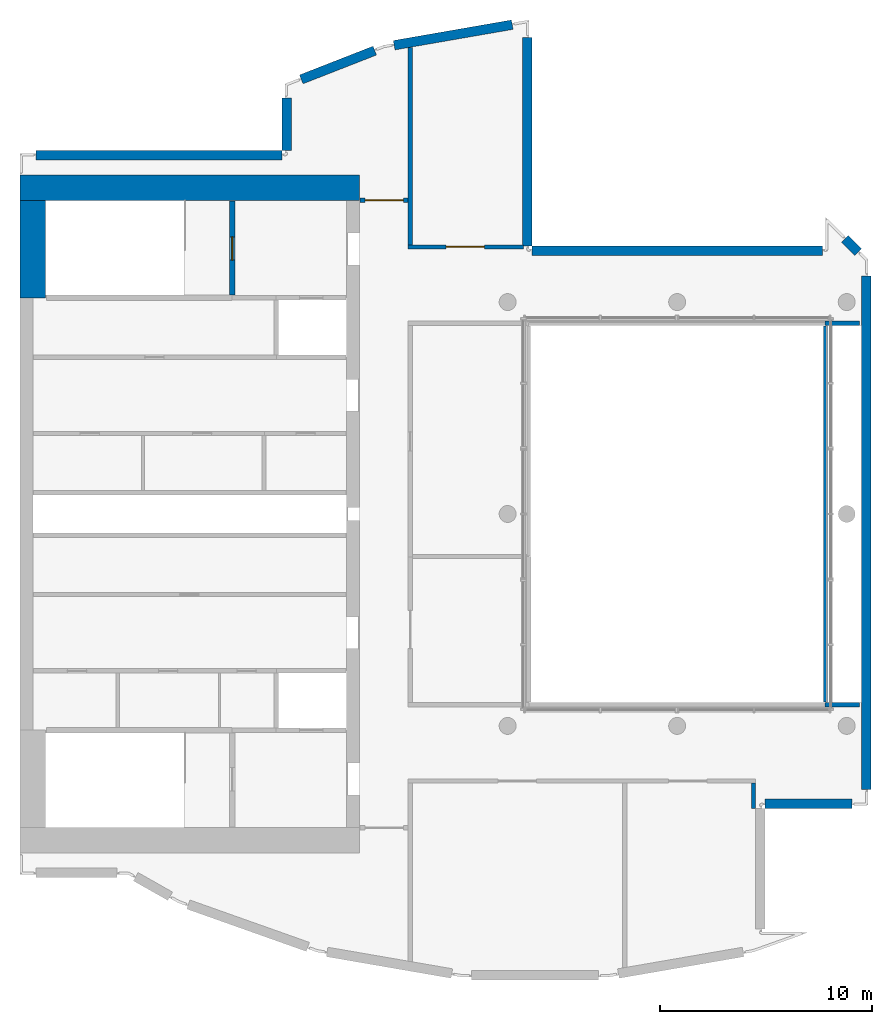
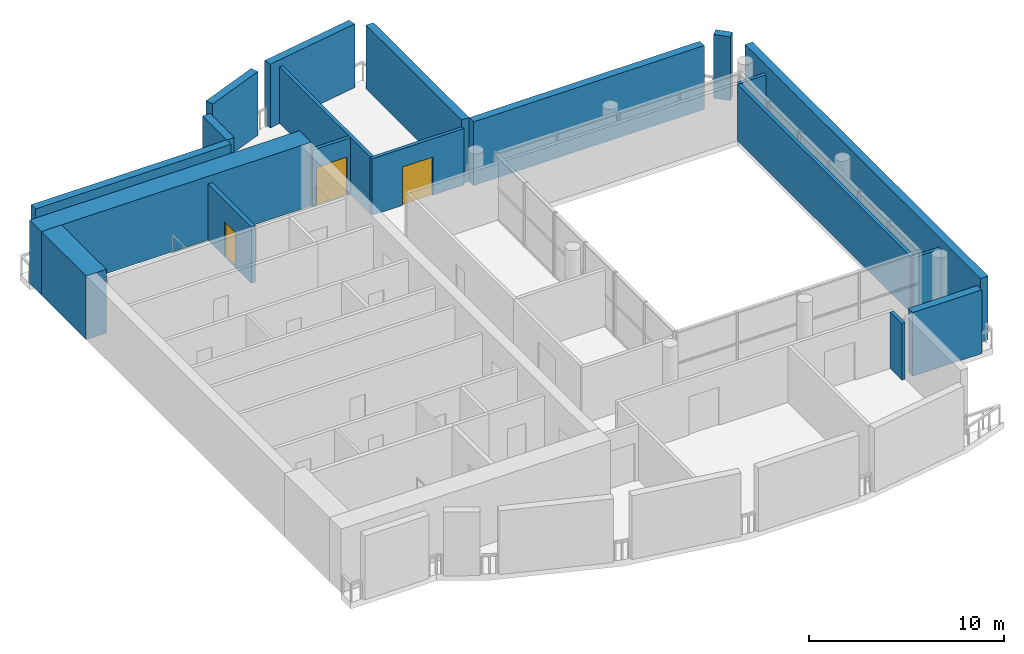
# One storey, part 5 of 6: 19 walls, 3 doors, 3 openings.
"""IFC4 building model written with IfcOpenShell, lengths in metres."""

import ifcopenshell
import ifcopenshell.guid

model = None  # the IFC model being written
_history = None  # IfcOwnerHistory: only IFC2X3 demands one
_inside = {}  # id of a spatial element -> (the spatial element, [elements in it])
_under = {}  # id of a project, library or spatial element -> (it, [spatial elements below it])
_declared = {}  # id of a project -> (the project, [libraries it declares])
_typed = {}  # id of a type object -> (the type object, [elements of that type])
_made_of = {}  # id of a material, layer set ... -> (it, [elements and type objects made of it])


def new_model(schema):
    """Start an empty IFC model of exactly this schema.

    Asked for "IFC4X3", IfcOpenShell would pick the latest addendum, in which some entities
    have other attributes; the version numbers below select the first issue.
    IFC2X3 requires an IfcOwnerHistory on every rooted entity: one is made here for all.
    """
    global model, _history
    if schema == "IFC4X3":
        model = ifcopenshell.file(schema_version=(4, 3, 0, 0))
    else:
        model = ifcopenshell.file(schema=schema)
    _inside.clear()
    _under.clear()
    _declared.clear()
    _typed.clear()
    _made_of.clear()
    _history = None
    if model.schema == "IFC2X3":
        org = make("IfcOrganization", Name="unknown")
        user = make(
            "IfcPersonAndOrganization",
            ThePerson=make("IfcPerson", FamilyName="unknown"),
            TheOrganization=org,
        )
        app = make(
            "IfcApplication",
            ApplicationDeveloper=org,
            Version="unknown",
            ApplicationFullName="unknown",
            ApplicationIdentifier="unknown",
        )
        _history = make(
            "IfcOwnerHistory",
            OwningUser=user,
            OwningApplication=app,
            ChangeAction="ADDED",
            CreationDate=0,
        )
    return model


def make(cls, **values):
    """One entity of the class cls with the attributes given. An attribute that is None is left unset."""
    return model.create_entity(
        cls, **{name: value for name, value in values.items() if value is not None}
    )


def rooted(cls, **values):
    """An entity with a GlobalId (a new one), such as an element, a storey or a relation."""
    return make(cls, GlobalId=ifcopenshell.guid.new(), OwnerHistory=_history, **values)


def si_unit(unit_type, name, prefix=None):
    """IfcSIUnit, for example si_unit("LENGTHUNIT", "METRE", prefix="MILLI")."""
    return make("IfcSIUnit", UnitType=unit_type, Prefix=prefix, Name=name)


def assignment(units):
    """IfcUnitAssignment: the units of a project."""
    return None if units is None else make("IfcUnitAssignment", Units=units)


def point(xyz):
    """IfcCartesianPoint."""
    return None if xyz is None else make("IfcCartesianPoint", Coordinates=xyz)


def direction(xyz):
    """IfcDirection."""
    return None if xyz is None else make("IfcDirection", DirectionRatios=xyz)


def frame(location, z_axis=None, x_axis=None):
    """IfcAxis2Placement3D, a coordinate frame: its origin and axes. An axis left out is left unset."""
    return make(
        "IfcAxis2Placement3D",
        Location=point(location),
        Axis=direction(z_axis),
        RefDirection=direction(x_axis),
    )


def frame_2d(location, x_axis=None):
    """IfcAxis2Placement2D, a coordinate frame in the plane: its origin and x axis."""
    return make(
        "IfcAxis2Placement2D", Location=point(location), RefDirection=direction(x_axis)
    )


def origin():
    """The frame at (0, 0, 0) with its axes left unset."""
    return frame((0.0, 0.0, 0.0))


def place(relative_to, where):
    """IfcLocalPlacement: puts the frame where relative to a parent placement (None: the world)."""
    return make(
        "IfcLocalPlacement", PlacementRelTo=relative_to, RelativePlacement=where
    )


def context(
    kind, dimensions, precision=None, world=None, true_north=None, identifier=None
):
    """IfcGeometricRepresentationContext, for example the 3D "Model" context."""
    return make(
        "IfcGeometricRepresentationContext",
        ContextIdentifier=identifier,
        ContextType=kind,
        CoordinateSpaceDimension=dimensions,
        Precision=precision,
        WorldCoordinateSystem=world,
        TrueNorth=true_north,
    )


def subcontext(parent, identifier, kind, view, scale=None):
    """IfcGeometricRepresentationSubContext, for example "Body" below "Model"."""
    return make(
        "IfcGeometricRepresentationSubContext",
        ContextIdentifier=identifier,
        ContextType=kind,
        ParentContext=parent,
        TargetScale=scale,
        TargetView=view,
    )


def project(units=None, contexts=None):
    """IfcProject with its units and contexts."""
    return rooted(
        "IfcProject",
        Name="project",
        RepresentationContexts=contexts,
        UnitsInContext=assignment(units),
    )


def spatial(cls, under=None, at=None, **own):
    """A site, building, storey or space (cls), placed at a placement, below another one or the project."""
    s = rooted(cls, ObjectPlacement=at, **own)
    if under is not None:
        _under.setdefault(under.id(), (under, []))[1].append(s)
    return s


def profile(cls, at=None, kind="AREA", **sizes):
    """A parametric profile (cls). Its sizes go by their IFC names, for example OverallWidth=200.0."""
    return make(cls, ProfileType=kind, Position=at, **sizes)


def rectangle(**sizes):
    """IfcRectangleProfileDef."""
    return profile("IfcRectangleProfileDef", **sizes)


def extrude(swept, where, along, depth):
    """IfcExtrudedAreaSolid: the profile swept, set in the frame where, extruded along a direction by depth."""
    return make(
        "IfcExtrudedAreaSolid",
        SweptArea=swept,
        Position=where,
        ExtrudedDirection=direction(along),
        Depth=depth,
    )


def shape(context_of_items, identifier, shape_type, items):
    """IfcShapeRepresentation: the items that make up one representation, for example the "Body"."""
    return make(
        "IfcShapeRepresentation",
        ContextOfItems=context_of_items,
        RepresentationIdentifier=identifier,
        RepresentationType=shape_type,
        Items=items,
    )


def material(Name=None, Category=None):
    """IfcMaterial."""
    return make("IfcMaterial", Name=Name, Category=Category)


def layer(
    of_material, thickness, ventilated=None, Name=None, Category=None, Priority=None
):
    """IfcMaterialLayer: one layer of a wall or slab, of a material (None: an air gap)."""
    return make(
        "IfcMaterialLayer",
        Material=of_material,
        LayerThickness=thickness,
        IsVentilated=ventilated,
        Name=Name,
        Category=Category,
        Priority=Priority,
    )


def layer_set(layers, Name=None):
    """IfcMaterialLayerSet."""
    return make("IfcMaterialLayerSet", MaterialLayers=layers, LayerSetName=Name)


def made_of(thing, what):
    """Note that an element or type object is made of a material, layer set ...; save() writes the relation."""
    if what is not None:
        _made_of.setdefault(what.id(), (what, []))[1].append(thing)
    return thing


def type_object(cls, material=None, **own):
    """A type object (cls), such as IfcWallType, which elements share."""
    return made_of(rooted(cls, **own), material)


def element(
    cls,
    number,
    at=None,
    inside=None,
    cuts=None,
    type_object=None,
    material=None,
    context=None,
    identifier="Body",
    shape_type=None,
    held_by="IfcProductDefinitionShape",
    body=None,
    shapes=None,
    **own,
):
    """One element of the class cls, such as IfcWall. Its Tag is "e" and its number.

    at: its placement. inside: the storey or other place that contains it. cuts: it is an
    opening in that element (IfcRelVoidsElement). A single representation is given by context,
    identifier, shape_type and body (its items); several are given by shapes. held_by: the class
    of the entity that holds the representations. save() writes the other relations.
    """
    e = rooted(cls, Tag="e%d" % number, ObjectPlacement=at, **own)
    if body is not None:
        shapes = [shape(context, identifier, shape_type, body)]
    if shapes is not None:
        e.Representation = make(held_by, Representations=shapes)
    if inside is not None:
        _inside.setdefault(inside.id(), (inside, []))[1].append(e)
    if cuts is not None:
        rooted(
            "IfcRelVoidsElement", RelatingBuildingElement=cuts, RelatedOpeningElement=e
        )
    if type_object is not None:
        _typed.setdefault(type_object.id(), (type_object, []))[1].append(e)
    return made_of(e, material)


def fill(opening, filler):
    """IfcRelFillsElement: the door or window that sits in an opening."""
    return rooted(
        "IfcRelFillsElement",
        RelatingOpeningElement=opening,
        RelatedBuildingElement=filler,
    )


def aggregate(whole, parts):
    """IfcRelAggregates: a whole, such as a stair, and the parts it consists of."""
    return rooted("IfcRelAggregates", RelatingObject=whole, RelatedObjects=parts)


def save(model, path):
    """Write the relations noted so far, then the file.

    IfcRelAggregates (storeys below a building ...), IfcRelContainedInSpatialStructure (elements
    in a storey), IfcRelDefinesByType, IfcRelAssociatesMaterial and IfcRelDeclares: one each for
    every whole, place, type object, material and project.
    """
    for whole, parts in _under.values():
        aggregate(whole, parts)
    for where, things in _inside.values():
        rooted(
            "IfcRelContainedInSpatialStructure",
            RelatedElements=things,
            RelatingStructure=where,
        )
    for kind, things in _typed.values():
        rooted("IfcRelDefinesByType", RelatedObjects=things, RelatingType=kind)
    for what, things in _made_of.values():
        rooted("IfcRelAssociatesMaterial", RelatedObjects=things, RelatingMaterial=what)
    for by, libraries in _declared.values():
        rooted("IfcRelDeclares", RelatingContext=by, RelatedDefinitions=libraries)
    model.write(path)


model = new_model("IFC4")

# Units and contexts
model_context = context("Model", 3, precision=1e-05, world=origin(), true_north=direction((0.0, 1.0)))
body_context = subcontext(model_context, "Body", "Model", "MODEL_VIEW")
ifc_project = project(units=[si_unit("LENGTHUNIT", "METRE"), si_unit("AREAUNIT", "SQUARE_METRE"), si_unit("VOLUMEUNIT", "CUBIC_METRE"), si_unit("PLANEANGLEUNIT", "RADIAN"), si_unit("MASSUNIT", "GRAM", prefix="KILO")], contexts=[model_context])

# Site, building, storey
site_placement = place(None, origin())
site = spatial("IfcSite", under=ifc_project, at=site_placement, CompositionType="ELEMENT")
building_placement = place(site_placement, origin())
building = spatial("IfcBuilding", under=site, at=building_placement, Name="Cypress Arch Tower", CompositionType="ELEMENT")
storey_placement = place(building_placement, frame((0.0, 0.0, 355.0)))
storey = spatial("IfcBuildingStorey", under=building, at=storey_placement, Name="L81", CompositionType="ELEMENT", Elevation=355.0)

# Walls
ifc_material_1 = material(Name="Brick (red buff blend)", Category="masonry")
ifc_layer_1 = layer(ifc_material_1, 0.449951171875)
ifc_layer_set_1 = layer_set([ifc_layer_1], Name="Brick belt wall BW450-B")
wall_type_1 = type_object("IfcWallType", Name="Brick belt wall BW450-B", PredefinedType="SOLIDWALL", material=ifc_layer_set_1)
wall_1_placement = place(storey_placement, frame((5.14990234375, -13.6650390625, 0.0), z_axis=(0.0, 0.0, 1.0), x_axis=(1.0, 0.0, 0.0)))
element("IfcWall", 1, at=wall_1_placement, inside=storey, type_object=wall_type_1, Name="Brick wall L81 K09.0", PredefinedType="SOLIDWALL", context=body_context, shape_type="SweptSolid", body=[
    extrude(rectangle(XDim=4.10009765625, YDim=0.449951171875, at=frame_2d((2.050048828125, 0.0))), origin(), (0.0, 0.0, 1.0), 4.0),
])
wall_2_placement = place(storey_placement, frame((9.925048828125, -12.989990234375, 0.0), z_axis=(0.0, 0.0, 1.0), x_axis=(0.0, 1.0, 0.0)))
element("IfcWall", 2, at=wall_2_placement, inside=storey, type_object=wall_type_1, Name="Brick wall L81 K10.0", PredefinedType="SOLIDWALL", context=body_context, shape_type="SweptSolid", body=[
    extrude(rectangle(XDim=24.229248046875, YDim=0.449951171875, at=frame_2d((12.11474609375, 0.0))), origin(), (0.0, 0.0, 1.0), 4.0),
])
wall_3_placement = place(storey_placement, frame((9.541015625, 12.35302734375, 0.0), z_axis=(0.0, 0.0, 1.0), x_axis=(-0.707106781187, 0.707106781187, 0.0)))
element("IfcWall", 3, at=wall_3_placement, inside=storey, type_object=wall_type_1, Name="Brick wall L81 K11.0", PredefinedType="SOLIDWALL", context=body_context, shape_type="SweptSolid", body=[
    extrude(rectangle(XDim=0.8935546875, YDim=0.449951171875, at=frame_2d((0.44677734375, 0.0))), origin(), (0.0, 0.0, 1.0), 4.0),
])
wall_4_placement = place(storey_placement, frame((7.85009765625, 12.425048828125, 0.0), z_axis=(0.0, 0.0, 1.0), x_axis=(-1.0, 0.0, 0.0)))
element("IfcWall", 4, at=wall_4_placement, inside=storey, type_object=wall_type_1, Name="Brick wall L81 K13.0", PredefinedType="SOLIDWALL", context=body_context, shape_type="SweptSolid", body=[
    extrude(rectangle(XDim=13.7001953125, YDim=0.449951171875, at=frame_2d((6.85009765625, 0.0))), origin(), (0.0, 0.0, 1.0), 4.0),
])
wall_5_placement = place(storey_placement, frame((-6.074951171875, 12.64990234375, 0.0), z_axis=(0.0, 0.0, 1.0), x_axis=(0.0, 1.0, 0.0)))
element("IfcWall", 5, at=wall_5_placement, inside=storey, type_object=wall_type_1, Name="Brick wall L81 K14.0", PredefinedType="SOLIDWALL", context=body_context, shape_type="SweptSolid", body=[
    extrude(rectangle(XDim=9.836669921875, YDim=0.449951171875, at=frame_2d((4.91845703125, 0.0))), origin(), (0.0, 0.0, 1.0), 4.0),
])
wall_6_placement = place(storey_placement, frame((-6.781982421875, 23.088134765625, 0.0), z_axis=(0.0, 0.0, 1.0), x_axis=(-0.985240251318, -0.171177239091, 0.0)))
element("IfcWall", 6, at=wall_6_placement, inside=storey, type_object=wall_type_1, Name="Brick wall L81 K15.0", PredefinedType="SOLIDWALL", context=body_context, shape_type="SweptSolid", body=[
    extrude(rectangle(XDim=5.656494140625, YDim=0.449951171875, at=frame_2d((2.828125, 0.0))), origin(), (0.0, 0.0, 1.0), 4.0),
])
wall_7_placement = place(storey_placement, frame((-13.269775390625, 21.865234375, 0.0), z_axis=(0.0, 0.0, 1.0), x_axis=(-0.931207968362, -0.364488298384, 0.0)))
element("IfcWall", 7, at=wall_7_placement, inside=storey, type_object=wall_type_1, Name="Brick wall L81 K16.0", PredefinedType="SOLIDWALL", context=body_context, shape_type="SweptSolid", body=[
    extrude(rectangle(XDim=3.7255859375, YDim=0.449951171875, at=frame_2d((1.86279296875, 0.0))), origin(), (0.0, 0.0, 1.0), 4.0),
])
wall_8_placement = place(storey_placement, frame((-17.425048828125, 19.63525390625, 0.0), z_axis=(0.0, 0.0, 1.0), x_axis=(0.0, -1.0, 0.0)))
element("IfcWall", 8, at=wall_8_placement, inside=storey, type_object=wall_type_1, Name="Brick wall L81 K17.0", PredefinedType="SOLIDWALL", context=body_context, shape_type="SweptSolid", body=[
    extrude(rectangle(XDim=2.4853515625, YDim=0.449951171875, at=frame_2d((1.24267578125, 0.0))), origin(), (0.0, 0.0, 1.0), 4.0),
])
wall_9_placement = place(storey_placement, frame((-17.64990234375, 16.925048828125, 0.0), z_axis=(0.0, 0.0, 1.0), x_axis=(-1.0, 0.0, 0.0)))
element("IfcWall", 9, at=wall_9_placement, inside=storey, type_object=wall_type_1, Name="Brick wall L81 K18.0", PredefinedType="SOLIDWALL", context=body_context, shape_type="SweptSolid", body=[
    extrude(rectangle(XDim=11.60009765625, YDim=0.449951171875, at=frame_2d((5.800048828125, 0.0))), origin(), (0.0, 0.0, 1.0), 4.0),
])
ifc_material_2 = material(Name="Concrete C50/60", Category="concrete")
ifc_layer_2 = layer(ifc_material_2, 1.199951171875)
ifc_layer_set_2 = layer_set([ifc_layer_2], Name="Core wall CW1200 C50/60")
wall_type_2 = type_object("IfcWallType", Name="Core wall CW1200 C50/60", PredefinedType="SHEAR", material=ifc_layer_set_2)
wall_10_placement = place(storey_placement, frame((-30.0, 15.39990234375, 0.0), z_axis=(0.0, 0.0, 1.0), x_axis=(1.0, 0.0, 0.0)))
element("IfcWall", 10, at=wall_10_placement, inside=storey, type_object=wall_type_2, Name="Core wall", PredefinedType="SHEAR", context=body_context, shape_type="SweptSolid", body=[
    extrude(rectangle(XDim=16.0, YDim=1.199951171875, at=frame_2d((8.0, 0.0))), origin(), (0.0, 0.0, 1.0), 4.0),
])
wall_11_placement = place(storey_placement, frame((-29.39990234375, 10.199951171875, 0.0), z_axis=(0.0, 0.0, 1.0), x_axis=(0.0, 1.0, 0.0)))
element("IfcWall", 11, at=wall_11_placement, inside=storey, type_object=wall_type_2, Name="Core wall", PredefinedType="SHEAR", context=body_context, shape_type="SweptSolid", body=[
    extrude(rectangle(XDim=4.60009765625, YDim=1.199951171875, at=frame_2d((2.300048828125, 0.0))), origin(), (0.0, 0.0, 1.0), 4.0),
])

# Wall, opening, door
ifc_material_3 = material(Name="Reinforced blockwork, plastered, rated", Category="masonry")
ifc_layer_3 = layer(ifc_material_3, 0.199951171875)
ifc_layer_set_3 = layer_set([ifc_layer_3], Name="Plant and riser wall PL200")
wall_type_3 = type_object("IfcWallType", Name="Plant and riser wall PL200", PredefinedType="PARTITIONING", material=ifc_layer_set_3)
wall_12_placement = place(storey_placement, frame((-13.969970703125, 14.800048828125, 0.0), z_axis=(0.0, 0.0, 1.0), x_axis=(1.0, 0.0, 0.0)))
wall_12 = element("IfcWall", 12, at=wall_12_placement, inside=storey, type_object=wall_type_3, Name="Plant and riser wall", PredefinedType="PARTITIONING", context=body_context, shape_type="SweptSolid", body=[
    extrude(rectangle(XDim=2.27001953125, YDim=0.199951171875, at=frame_2d((1.135009765625, 0.0))), origin(), (0.0, 0.0, 1.0), 3.548095703125),
])
opening_1_placement = place(wall_12_placement, frame((0.25, 0.0, 0.0)))
opening_1 = element("IfcOpeningElement", 13, at=opening_1_placement, cuts=wall_12, Name="Opening D09", PredefinedType="OPENING", context=body_context, shape_type="SweptSolid", body=[
    extrude(rectangle(XDim=1.800048828125, YDim=2.39990234375, at=frame_2d((0.89990234375, 1.199951171875))), frame((0.0, 0.10986328125, 0.0), z_axis=(0.0, -1.0, 0.0), x_axis=(1.0, 0.0, 0.0)), (0.0, 0.0, 1.0), 0.219970703125),
])
ifc_material_4 = material(Name="Steel door, fire resisting", Category="steel")
door_type_1 = type_object("IfcDoorType", Name="Plant room door D09 1800x2400", OperationType="DOUBLE_DOOR_SINGLE_SWING", PredefinedType="DOOR", material=ifc_material_4)
door_1_placement = place(opening_1_placement, origin())
door_1 = element("IfcDoor", 14, at=door_1_placement, inside=storey, type_object=door_type_1, Name="Plant room door", OperationType="DOUBLE_DOOR_SINGLE_SWING", OverallHeight=2.39990234375, OverallWidth=1.800048828125, PredefinedType="DOOR", context=body_context, shape_type="SweptSolid", body=[
    extrude(rectangle(XDim=1.800048828125, YDim=2.39990234375, at=frame_2d((0.89990234375, 1.199951171875))), frame((0.0, 0.02490234375, 0.0), z_axis=(0.0, -1.0, 0.0), x_axis=(1.0, 0.0, 0.0)), (0.0, 0.0, 1.0), 0.050048828125),
])
fill(opening_1, door_1)

# Wall
wall_13_placement = place(storey_placement, frame((-11.60009765625, 12.700927734375, 0.0), z_axis=(0.0, 0.0, 1.0), x_axis=(0.0, 1.0, 0.0)))
element("IfcWall", 15, at=wall_13_placement, inside=storey, type_object=wall_type_3, Name="Plant and riser wall", PredefinedType="PARTITIONING", context=body_context, shape_type="SweptSolid", body=[
    extrude(rectangle(XDim=9.32177734375, YDim=0.199951171875, at=frame_2d((4.660888671875, 0.0))), origin(), (0.0, 0.0, 1.0), 3.548095703125),
])

# Wall, opening, door
wall_14_placement = place(storey_placement, frame((-11.698974609375, 12.60009765625, 0.0), z_axis=(0.0, 0.0, 1.0), x_axis=(1.0, 0.0, 0.0)))
wall_14 = element("IfcWall", 16, at=wall_14_placement, inside=storey, type_object=wall_type_3, Name="Plant and riser wall", PredefinedType="PARTITIONING", context=body_context, shape_type="SweptSolid", body=[
    extrude(rectangle(XDim=5.453857421875, YDim=0.199951171875, at=frame_2d((2.72705078125, 0.0))), origin(), (0.0, 0.0, 1.0), 3.548095703125),
])
opening_2_placement = place(wall_14_placement, frame((1.800048828125, 0.0, 0.0)))
opening_2 = element("IfcOpeningElement", 17, at=opening_2_placement, cuts=wall_14, Name="Opening D09", PredefinedType="OPENING", context=body_context, shape_type="SweptSolid", body=[
    extrude(rectangle(XDim=1.800048828125, YDim=2.39990234375, at=frame_2d((0.89990234375, 1.199951171875))), frame((0.0, 0.10986328125, 0.0), z_axis=(0.0, -1.0, 0.0), x_axis=(1.0, 0.0, 0.0)), (0.0, 0.0, 1.0), 0.219970703125),
])
door_2_placement = place(opening_2_placement, origin())
door_2 = element("IfcDoor", 18, at=door_2_placement, inside=storey, type_object=door_type_1, Name="Plant room door", OperationType="DOUBLE_DOOR_SINGLE_SWING", OverallHeight=2.39990234375, OverallWidth=1.800048828125, PredefinedType="DOOR", context=body_context, shape_type="SweptSolid", body=[
    extrude(rectangle(XDim=1.800048828125, YDim=2.39990234375, at=frame_2d((0.89990234375, 1.199951171875))), frame((0.0, 0.02490234375, 0.0), z_axis=(0.0, -1.0, 0.0), x_axis=(1.0, 0.0, 0.0)), (0.0, 0.0, 1.0), 0.050048828125),
])
fill(opening_2, door_2)

# Walls
wall_15_placement = place(storey_placement, frame((4.60009765625, -13.889892578125, 0.0), z_axis=(0.0, 0.0, 1.0), x_axis=(0.0, 1.0, 0.0)))
element("IfcWall", 19, at=wall_15_placement, inside=storey, type_object=wall_type_3, Name="Plant and riser wall", PredefinedType="PARTITIONING", context=body_context, shape_type="SweptSolid", body=[
    extrude(rectangle(XDim=1.18896484375, YDim=0.199951171875, at=frame_2d((0.594482421875, 0.0))), origin(), (0.0, 0.0, 1.0), 3.548095703125),
])
for number, where, z_axis, x_axis, name in (
    (20, (7.97998046875, -9.0, 0.0), (0.0, 0.0, 1.0), (1.0, 0.0, 0.0), "Plant and riser wall"),
    (21, (7.97998046875, 9.0, 0.0), (0.0, 0.0, 1.0), (1.0, 0.0, 0.0), "Plant and riser wall"),
):
    element("IfcWall", number, at=place(storey_placement, frame(where, z_axis=z_axis, x_axis=x_axis)), inside=storey, type_object=wall_type_3, Name=name, PredefinedType="PARTITIONING", context=body_context, shape_type="SweptSolid", body=[
        extrude(rectangle(XDim=1.619873046875, YDim=0.199951171875, at=frame_2d((0.81005859375, 0.0))), origin(), (0.0, 0.0, 1.0), 3.548095703125),
    ])
wall_16_placement = place(storey_placement, frame((8.0, -8.8798828125, 0.0), z_axis=(0.0, 0.0, 1.0), x_axis=(0.0, 1.0, 0.0)))
element("IfcWall", 22, at=wall_16_placement, inside=storey, type_object=wall_type_3, Name="Plant and riser wall", PredefinedType="PARTITIONING", context=body_context, shape_type="SweptSolid", body=[
    extrude(rectangle(XDim=17.759765625, YDim=0.199951171875, at=frame_2d((8.8798828125, 0.0))), origin(), (0.0, 0.0, 1.0), 3.548095703125),
])

# Wall, opening, door
ifc_material_5 = material(Name="Concrete C50/60", Category="concrete")
ifc_layer_4 = layer(ifc_material_5, 0.25)
ifc_layer_set_4 = layer_set([ifc_layer_4], Name="Stair enclosure wall SW250")
wall_type_4 = type_object("IfcWallType", Name="Stair enclosure wall SW250", PredefinedType="SHEAR", material=ifc_layer_set_4)
wall_17_placement = place(storey_placement, frame((-20.0, 10.324951171875, 0.0), z_axis=(0.0, 0.0, 1.0), x_axis=(0.0, 1.0, 0.0)))
wall_17 = element("IfcWall", 23, at=wall_17_placement, inside=storey, type_object=wall_type_4, Name="Stair enclosure wall", PredefinedType="SHEAR", context=body_context, shape_type="SweptSolid", body=[
    extrude(rectangle(XDim=4.445068359375, YDim=0.25, at=frame_2d((2.22265625, 0.0))), origin(), (0.0, 0.0, 1.0), 3.548095703125),
])
opening_3_placement = place(wall_17_placement, frame((1.64990234375, 0.0, 0.0)))
opening_3 = element("IfcOpeningElement", 24, at=opening_3_placement, cuts=wall_17, Name="Opening D06", PredefinedType="OPENING", context=body_context, shape_type="SweptSolid", body=[
    extrude(rectangle(XDim=1.10009765625, YDim=2.199951171875, at=frame_2d((0.550048828125, 1.10009765625))), frame((0.0, 0.135009765625, 0.0), z_axis=(0.0, -1.0, 0.0), x_axis=(1.0, 0.0, 0.0)), (0.0, 0.0, 1.0), 0.27001953125),
])
ifc_material_6 = material(Name="Steel door, fire resisting, panic bar", Category="steel")
door_type_2 = type_object("IfcDoorType", Name="Stair door D06 1100x2200", OperationType="SINGLE_SWING_LEFT", PredefinedType="DOOR", material=ifc_material_6)
door_3_placement = place(opening_3_placement, origin())
door_3 = element("IfcDoor", 25, at=door_3_placement, inside=storey, type_object=door_type_2, Name="Stair door", OperationType="SINGLE_SWING_LEFT", OverallHeight=2.199951171875, OverallWidth=1.10009765625, PredefinedType="DOOR", context=body_context, shape_type="SweptSolid", body=[
    extrude(rectangle(XDim=1.10009765625, YDim=2.199951171875, at=frame_2d((0.550048828125, 1.10009765625))), frame((0.0, 0.02490234375, 0.0), z_axis=(0.0, -1.0, 0.0), x_axis=(1.0, 0.0, 0.0)), (0.0, 0.0, 1.0), 0.050048828125),
])
fill(opening_3, door_3)

save(model, "model.ifc")
